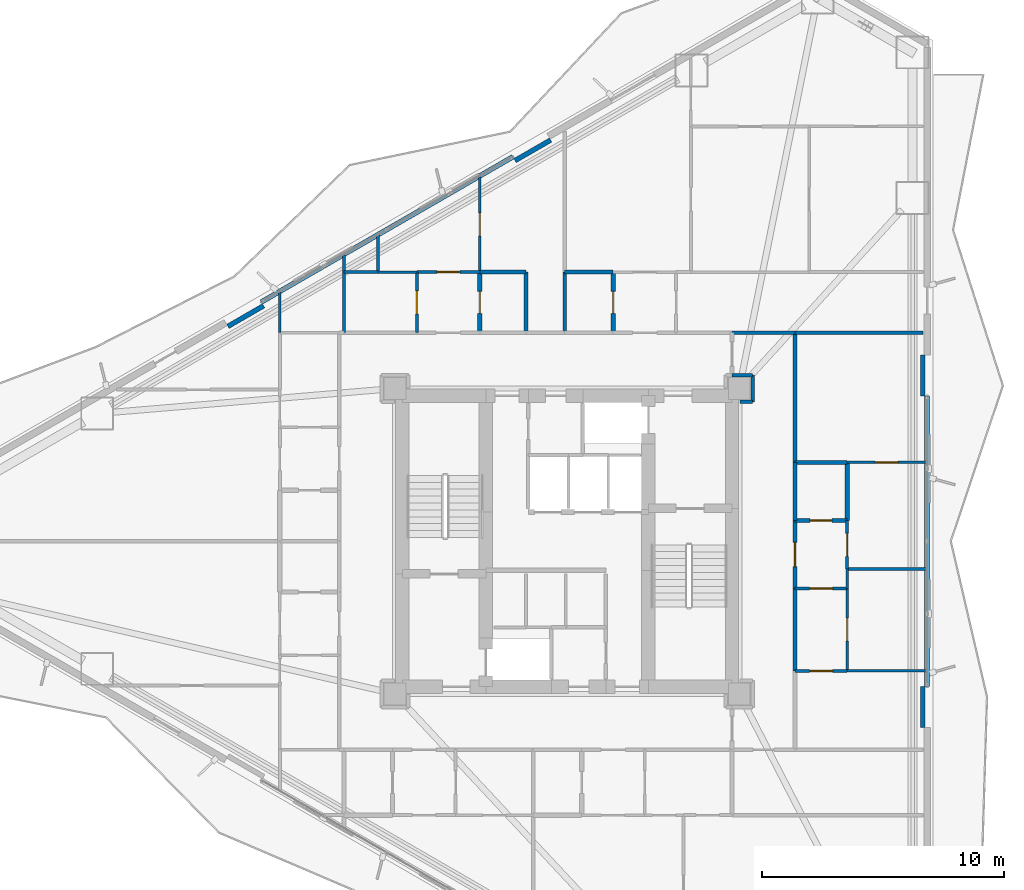
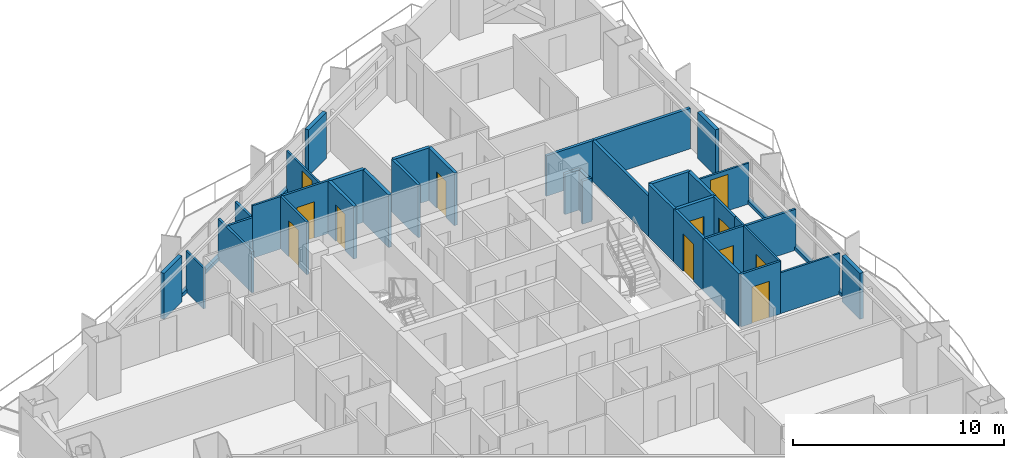
# One storey, part 15 of 18: 40 walls, 12 doors, 12 openings.
"""IFC4 building model written with IfcOpenShell, lengths in metres."""

from ifc_helpers import new_model, si_unit, direction, frame, frame_2d, origin, place, context, subcontext, project, spatial, rectangle, extrude, material, layer, layer_set, type_object, element, fill, save


model = new_model("IFC4")

# Units and contexts
model_context = context("Model", 3, precision=1e-05, world=origin(), true_north=direction((0.0, 1.0)))
body_context = subcontext(model_context, "Body", "Model", "MODEL_VIEW")
ifc_project = project(units=[si_unit("LENGTHUNIT", "METRE"), si_unit("AREAUNIT", "SQUARE_METRE"), si_unit("VOLUMEUNIT", "CUBIC_METRE"), si_unit("PLANEANGLEUNIT", "RADIAN"), si_unit("MASSUNIT", "GRAM", prefix="KILO")], contexts=[model_context])

# Site, building, storey
site_placement = place(None, origin())
site = spatial("IfcSite", under=ifc_project, at=site_placement, CompositionType="ELEMENT")
building_placement = place(site_placement, origin())
building = spatial("IfcBuilding", under=site, at=building_placement, Name="Mersakhor Tower and Convention Hall", CompositionType="ELEMENT")
storey_placement = place(building_placement, frame((0.0, 0.0, 35.699951171875)))
storey = spatial("IfcBuildingStorey", under=building, at=storey_placement, Name="L09", CompositionType="ELEMENT", Elevation=35.699951171875)

# Walls
ifc_material_1 = material(Name="Precast concrete C40/50", Category="concrete")
ifc_layer_1 = layer(ifc_material_1, 0.199951171875)
ifc_layer_set_1 = layer_set([ifc_layer_1], Name="Precast concrete C40/50")
wall_type_1 = type_object("IfcWallType", Name="WL-PAR-200", PredefinedType="PARAPET", material=ifc_layer_set_1)
wall_1_placement = place(storey_placement, frame((16.390380859375, 36.6171875, 0.0), z_axis=(0.0, 0.0, 1.0), x_axis=(0.866027351828, 0.499996625875, 0.0)))
element("IfcWall", 1, at=wall_1_placement, inside=storey, type_object=wall_type_1, Name="L09 Curtain Wall Upstand Sill F1-B2", PredefinedType="PARAPET", context=body_context, shape_type="SweptSolid", body=[
    extrude(rectangle(XDim=11.97314453125, YDim=0.199951171875, at=frame_2d((5.986572265625, 0.0))), origin(), (0.0, 0.0, 1.0), 0.199951171875),
])
for number, where, z_axis, x_axis, name in (
    (2, (15.00830078125, 35.611328125, 0.0), (0.0, 0.0, 1.0), (0.86605165483, 0.499954529098, 0.0), "L09 Column Pier Cladding Wall F1-C1"),
    (3, (26.849609375, 42.447998046875, 0.0), (0.0, 0.0, 1.0), (0.86605165483, 0.499954529098, 0.0), "L09 Column Pier Cladding Wall F1-C2"),
):
    element("IfcWall", number, at=place(storey_placement, frame(where, z_axis=z_axis, x_axis=x_axis)), inside=storey, type_object=wall_type_1, Name=name, PredefinedType="PARAPET", context=body_context, shape_type="SweptSolid", body=[
        extrude(rectangle(XDim=1.699951171875, YDim=0.199951171875, at=frame_2d((0.85009765625, 0.0))), origin(), (0.0, 0.0, 1.0), 2.66015625),
    ])
wall_2_placement = place(storey_placement, frame((43.85009765625, 32.736572265625, 0.0), z_axis=(0.0, 0.0, 1.0), x_axis=(0.0, -1.0, 0.0)))
element("IfcWall", 4, at=wall_2_placement, inside=storey, type_object=wall_type_1, Name="L09 Curtain Wall Upstand Sill F2-B2", PredefinedType="PARAPET", context=body_context, shape_type="SweptSolid", body=[
    extrude(rectangle(XDim=11.97314453125, YDim=0.199951171875, at=frame_2d((5.986572265625, 0.0))), origin(), (0.0, 0.0, 1.0), 0.199951171875),
])
for number, where, z_axis, x_axis, name in (
    (5, (43.669921875, 34.4365234375, 0.0), (0.0, 0.0, 1.0), (0.0, -1.0, 0.0), "L09 Column Pier Cladding Wall F2-C1"),
    (6, (43.669921875, 20.763427734375, 0.0), (0.0, 0.0, 1.0), (0.0, -1.0, 0.0), "L09 Column Pier Cladding Wall F2-C2"),
):
    element("IfcWall", number, at=place(storey_placement, frame(where, z_axis=z_axis, x_axis=x_axis)), inside=storey, type_object=wall_type_1, Name=name, PredefinedType="PARAPET", context=body_context, shape_type="SweptSolid", body=[
        extrude(rectangle(XDim=1.699951171875, YDim=0.199951171875, at=frame_2d((0.85009765625, 0.0))), origin(), (0.0, 0.0, 1.0), 2.66015625),
    ])

# Wall, opening, door
ifc_material_2 = material(Name="Moisture-resistant acoustic drywall studwork", Category="other")
ifc_layer_2 = layer(ifc_material_2, 0.175048828125)
ifc_layer_set_2 = layer_set([ifc_layer_2], Name="Moisture-resistant acoustic drywall studwork")
wall_type_2 = type_object("IfcWallType", Name="WL-PLM-175", PredefinedType="PLUMBINGWALL", material=ifc_layer_set_2)
wall_3_placement = place(storey_placement, frame((25.39990234375, 37.85009765625, 0.0), z_axis=(0.0, 0.0, 1.0), x_axis=(0.0, -1.0, 0.0)))
wall_3 = element("IfcWall", 7, at=wall_3_placement, inside=storey, type_object=wall_type_2, Name="L09 Interior Partition Wall P-068", PredefinedType="PLUMBINGWALL", context=body_context, shape_type="SweptSolid", body=[
    extrude(rectangle(XDim=2.5, YDim=0.175048828125, at=frame_2d((1.25, 0.0))), origin(), (0.0, 0.0, 1.0), 3.0400390625),
])
opening_1_placement = place(wall_3_placement, frame((0.800048828125, 0.0, 0.0)))
opening_1 = element("IfcOpeningElement", 8, at=opening_1_placement, cuts=wall_3, Name="Opening WD-01", PredefinedType="OPENING", context=body_context, shape_type="SweptSolid", body=[
    extrude(rectangle(XDim=0.89990234375, YDim=2.10009765625, at=frame_2d((0.449951171875, 1.050048828125))), frame((0.0, 0.097412109375, 0.0), z_axis=(0.0, -1.0, 0.0), x_axis=(1.0, 0.0, 0.0)), (0.0, 0.0, 1.0), 0.195068359375),
])
ifc_material_3 = material(Name="Solid-core hardwood leaf in painted steel frame", Category="steel")
door_type_1 = type_object("IfcDoorType", Name="DR-INT-WET-090x210", OperationType="NOTDEFINED", PredefinedType="DOOR", material=ifc_material_3)
door_1_placement = place(opening_1_placement, origin())
door_1 = element("IfcDoor", 9, at=door_1_placement, inside=storey, type_object=door_type_1, Name="L09 L09 Flat N1 Apartment Hall to L09 Flat N1 Bathroom Door", OperationType="SINGLE_SWING_RIGHT", OverallHeight=2.10009765625, OverallWidth=0.89990234375, PredefinedType="DOOR", context=body_context, shape_type="SweptSolid", body=[
    extrude(rectangle(XDim=0.89990234375, YDim=2.10009765625, at=frame_2d((0.449951171875, 1.050048828125))), frame((0.0, 0.02490234375, 0.0), z_axis=(0.0, -1.0, 0.0), x_axis=(1.0, 0.0, 0.0)), (0.0, 0.0, 1.0), 0.050048828125),
])
fill(opening_1, door_1)

wall_4_placement = place(storey_placement, frame((30.89990234375, 35.35009765625, 0.0), z_axis=(0.0, 0.0, 1.0), x_axis=(0.0, 1.0, 0.0)))
wall_4 = element("IfcWall", 10, at=wall_4_placement, inside=storey, type_object=wall_type_2, Name="L09 Interior Partition Wall P-072", PredefinedType="PLUMBINGWALL", context=body_context, shape_type="SweptSolid", body=[
    extrude(rectangle(XDim=2.5, YDim=0.175048828125, at=frame_2d((1.25, 0.0))), origin(), (0.0, 0.0, 1.0), 3.0400390625),
])
opening_2_placement = place(wall_4_placement, frame((0.800048828125, 0.0, 0.0)))
opening_2 = element("IfcOpeningElement", 11, at=opening_2_placement, cuts=wall_4, Name="Opening WD-01", PredefinedType="OPENING", context=body_context, shape_type="SweptSolid", body=[
    extrude(rectangle(XDim=0.89990234375, YDim=2.10009765625, at=frame_2d((0.449951171875, 1.050048828125))), frame((0.0, 0.097412109375, 0.0), z_axis=(0.0, -1.0, 0.0), x_axis=(1.0, 0.0, 0.0)), (0.0, 0.0, 1.0), 0.195068359375),
])
door_2_placement = place(opening_2_placement, origin())
door_2 = element("IfcDoor", 12, at=door_2_placement, inside=storey, type_object=door_type_1, Name="L09 L09 Flat N2 Apartment Hall to L09 Flat N2 Bathroom Door", OperationType="SINGLE_SWING_LEFT", OverallHeight=2.10009765625, OverallWidth=0.89990234375, PredefinedType="DOOR", context=body_context, shape_type="SweptSolid", body=[
    extrude(rectangle(XDim=0.89990234375, YDim=2.10009765625, at=frame_2d((0.449951171875, 1.050048828125))), frame((0.0, 0.02490234375, 0.0), z_axis=(0.0, -1.0, 0.0), x_axis=(1.0, 0.0, 0.0)), (0.0, 0.0, 1.0), 0.050048828125),
])
fill(opening_2, door_2)

wall_5_placement = place(storey_placement, frame((38.39990234375, 27.60009765625, 0.0), z_axis=(0.0, 0.0, 1.0), x_axis=(1.0, 0.0, 0.0)))
wall_5 = element("IfcWall", 13, at=wall_5_placement, inside=storey, type_object=wall_type_2, Name="L09 Interior Partition Wall P-088", PredefinedType="PLUMBINGWALL", context=body_context, shape_type="SweptSolid", body=[
    extrude(rectangle(XDim=2.150146484375, YDim=0.175048828125, at=frame_2d((1.0751953125, 0.0))), origin(), (0.0, 0.0, 1.0), 3.0400390625),
])
opening_3_placement = place(wall_5_placement, frame((0.625, 0.0, 0.0)))
opening_3 = element("IfcOpeningElement", 14, at=opening_3_placement, cuts=wall_5, Name="Opening WD-01", PredefinedType="OPENING", context=body_context, shape_type="SweptSolid", body=[
    extrude(rectangle(XDim=0.89990234375, YDim=2.10009765625, at=frame_2d((0.449951171875, 1.050048828125))), frame((0.0, 0.097412109375, 0.0), z_axis=(0.0, -1.0, 0.0), x_axis=(1.0, 0.0, 0.0)), (0.0, 0.0, 1.0), 0.195068359375),
])
door_3_placement = place(opening_3_placement, origin())
door_3 = element("IfcDoor", 15, at=door_3_placement, inside=storey, type_object=door_type_1, Name="L09 L09 Flat E7 Apartment Hall to L09 Flat E7 Bathroom Door", OperationType="SINGLE_SWING_RIGHT", OverallHeight=2.10009765625, OverallWidth=0.89990234375, PredefinedType="DOOR", context=body_context, shape_type="SweptSolid", body=[
    extrude(rectangle(XDim=0.89990234375, YDim=2.10009765625, at=frame_2d((0.449951171875, 1.050048828125))), frame((0.0, 0.02490234375, 0.0), z_axis=(0.0, -1.0, 0.0), x_axis=(1.0, 0.0, 0.0)), (0.0, 0.0, 1.0), 0.050048828125),
])
fill(opening_3, door_3)

# Walls
wall_6_placement = place(storey_placement, frame((25.39990234375, 37.85009765625, 0.0), z_axis=(0.0, 0.0, 1.0), x_axis=(1.0, 0.0, 0.0)))
element("IfcWall", 16, at=wall_6_placement, inside=storey, type_object=wall_type_2, Name="L09 Interior Partition Wall P-089", PredefinedType="PLUMBINGWALL", context=body_context, shape_type="SweptSolid", body=[
    extrude(rectangle(XDim=1.900146484375, YDim=0.175048828125, at=frame_2d((0.9501953125, 0.0))), origin(), (0.0, 0.0, 1.0), 3.0400390625),
])
wall_7_placement = place(storey_placement, frame((27.300048828125, 37.85009765625, 0.0), z_axis=(0.0, 0.0, 1.0), x_axis=(0.0, -1.0, 0.0)))
element("IfcWall", 17, at=wall_7_placement, inside=storey, type_object=wall_type_2, Name="L09 Interior Partition Wall P-090", PredefinedType="PLUMBINGWALL", context=body_context, shape_type="SweptSolid", body=[
    extrude(rectangle(XDim=2.5, YDim=0.175048828125, at=frame_2d((1.25, 0.0))), origin(), (0.0, 0.0, 1.0), 3.0400390625),
])
wall_8_placement = place(storey_placement, frame((28.89990234375, 37.85009765625, 0.0), z_axis=(0.0, 0.0, 1.0), x_axis=(1.0, 0.0, 0.0)))
element("IfcWall", 18, at=wall_8_placement, inside=storey, type_object=wall_type_2, Name="L09 Interior Partition Wall P-094", PredefinedType="PLUMBINGWALL", context=body_context, shape_type="SweptSolid", body=[
    extrude(rectangle(XDim=2.0, YDim=0.175048828125, at=frame_2d((1.0, 0.0))), origin(), (0.0, 0.0, 1.0), 3.0400390625),
])
wall_9_placement = place(storey_placement, frame((40.550048828125, 30.0, 0.0), z_axis=(0.0, 0.0, 1.0), x_axis=(0.0, -1.0, 0.0)))
element("IfcWall", 19, at=wall_9_placement, inside=storey, type_object=wall_type_2, Name="L09 Interior Partition Wall P-117", PredefinedType="PLUMBINGWALL", context=body_context, shape_type="SweptSolid", body=[
    extrude(rectangle(XDim=2.39990234375, YDim=0.175048828125, at=frame_2d((1.199951171875, 0.0))), origin(), (0.0, 0.0, 1.0), 3.0400390625),
])
wall_10_placement = place(storey_placement, frame((38.39990234375, 30.0, 0.0), z_axis=(0.0, 0.0, 1.0), x_axis=(1.0, 0.0, 0.0)))
element("IfcWall", 20, at=wall_10_placement, inside=storey, type_object=wall_type_2, Name="L09 Interior Partition Wall P-118", PredefinedType="PLUMBINGWALL", context=body_context, shape_type="SweptSolid", body=[
    extrude(rectangle(XDim=2.150146484375, YDim=0.175048828125, at=frame_2d((1.0751953125, 0.0))), origin(), (0.0, 0.0, 1.0), 3.0400390625),
])
ifc_material_4 = material(Name="Lightweight gypsum partition", Category="other")
ifc_layer_3 = layer(ifc_material_4, 0.10009765625)
ifc_layer_set_3 = layer_set([ifc_layer_3], Name="Lightweight gypsum partition")
wall_type_3 = type_object("IfcWallType", Name="WL-PRT-100", PredefinedType="PARTITIONING", material=ifc_layer_set_3)
wall_11_placement = place(storey_placement, frame((40.550048828125, 25.60009765625, 0.0), z_axis=(0.0, 0.0, 1.0), x_axis=(0.0, -1.0, 0.0)))
element("IfcWall", 21, at=wall_11_placement, inside=storey, type_object=wall_type_3, Name="L09 Interior Partition Wall P-086", PredefinedType="PARTITIONING", context=body_context, shape_type="SweptSolid", body=[
    extrude(rectangle(XDim=0.800048828125, YDim=0.10009765625, at=frame_2d((0.39990234375, 0.0))), origin(), (0.0, 0.0, 1.0), 3.0400390625),
])
wall_12_placement = place(storey_placement, frame((21.199951171875, 37.85009765625, 0.0), z_axis=(0.0, 0.0, 1.0), x_axis=(1.0, 0.0, 0.0)))
element("IfcWall", 22, at=wall_12_placement, inside=storey, type_object=wall_type_3, Name="L09 Interior Partition Wall P-092", PredefinedType="PARTITIONING", context=body_context, shape_type="SweptSolid", body=[
    extrude(rectangle(XDim=1.60009765625, YDim=0.10009765625, at=frame_2d((0.800048828125, 0.0))), origin(), (0.0, 0.0, 1.0), 3.0400390625),
])
wall_13_placement = place(storey_placement, frame((40.550048828125, 21.39990234375, 0.0), z_axis=(0.0, 0.0, 1.0), x_axis=(1.0, 0.0, 0.0)))
element("IfcWall", 23, at=wall_13_placement, inside=storey, type_object=wall_type_3, Name="L09 Interior Partition Wall P-120", PredefinedType="PARTITIONING", context=body_context, shape_type="SweptSolid", body=[
    extrude(rectangle(XDim=3.263916015625, YDim=0.10009765625, at=frame_2d((1.6318359375, 0.0))), origin(), (0.0, 0.0, 1.0), 2.364990234375),
])

# Wall, opening, door
wall_14_placement = place(storey_placement, frame((25.39990234375, 41.77734375, 0.0), z_axis=(0.0, 0.0, 1.0), x_axis=(0.0, -1.0, 0.0)))
wall_14 = element("IfcWall", 24, at=wall_14_placement, inside=storey, type_object=wall_type_3, Name="L09 Interior Partition Wall P-124", PredefinedType="PARTITIONING", context=body_context, shape_type="SweptSolid", body=[
    extrude(rectangle(XDim=3.92724609375, YDim=0.10009765625, at=frame_2d((1.963623046875, 0.0))), origin(), (0.0, 0.0, 1.0), 2.364990234375),
])
opening_4_placement = place(wall_14_placement, frame((1.488525390625, 0.0, 0.0)))
opening_4 = element("IfcOpeningElement", 25, at=opening_4_placement, cuts=wall_14, Name="Opening RD-01", PredefinedType="OPENING", context=body_context, shape_type="SweptSolid", body=[
    extrude(rectangle(XDim=0.949951171875, YDim=2.10009765625, at=frame_2d((0.47509765625, 1.050048828125))), frame((0.0, 0.06005859375, 0.0), z_axis=(0.0, -1.0, 0.0), x_axis=(1.0, 0.0, 0.0)), (0.0, 0.0, 1.0), 0.1201171875),
])
ifc_material_5 = material(Name="Solid-core hardwood leaf in painted steel frame", Category="steel")
door_type_2 = type_object("IfcDoorType", Name="DR-INT-RM-095x210", OperationType="NOTDEFINED", PredefinedType="DOOR", material=ifc_material_5)
door_4_placement = place(opening_4_placement, origin())
door_4 = element("IfcDoor", 26, at=door_4_placement, inside=storey, type_object=door_type_2, Name="L09 L09 Flat N1 Bedroom 2 to L09 Flat N1 Living and Dining Room Door", OperationType="SINGLE_SWING_LEFT", OverallHeight=2.10009765625, OverallWidth=0.949951171875, PredefinedType="DOOR", context=body_context, shape_type="SweptSolid", body=[
    extrude(rectangle(XDim=0.949951171875, YDim=2.10009765625, at=frame_2d((0.47509765625, 1.050048828125))), frame((0.0, 0.02490234375, 0.0), z_axis=(0.0, -1.0, 0.0), x_axis=(1.0, 0.0, 0.0)), (0.0, 0.0, 1.0), 0.050048828125),
])
fill(opening_4, door_4)

# Wall
wall_15_placement = place(storey_placement, frame((17.14990234375, 37.01416015625, 0.0), z_axis=(0.0, 0.0, 1.0), x_axis=(0.0, -1.0, 0.0)))
element("IfcWall", 27, at=wall_15_placement, inside=storey, type_object=wall_type_3, Name="L09 Interior Partition Wall P-142", PredefinedType="PARTITIONING", context=body_context, shape_type="SweptSolid", body=[
    extrude(rectangle(XDim=1.6640625, YDim=0.10009765625, at=frame_2d((0.83203125, 0.0))), origin(), (0.0, 0.0, 1.0), 2.364990234375),
])

# Wall, opening, door
wall_16_placement = place(storey_placement, frame((43.81396484375, 30.0, 0.0), z_axis=(0.0, 0.0, 1.0), x_axis=(-1.0, 0.0, 0.0)))
wall_16 = element("IfcWall", 28, at=wall_16_placement, inside=storey, type_object=wall_type_3, Name="L09 Interior Partition Wall P-146", PredefinedType="PARTITIONING", context=body_context, shape_type="SweptSolid", body=[
    extrude(rectangle(XDim=3.263916015625, YDim=0.10009765625, at=frame_2d((1.6318359375, 0.0))), origin(), (0.0, 0.0, 1.0), 2.364990234375),
])
opening_5_placement = place(wall_16_placement, frame((1.156982421875, 0.0, 0.0)))
opening_5 = element("IfcOpeningElement", 29, at=opening_5_placement, cuts=wall_16, Name="Opening RD-01", PredefinedType="OPENING", context=body_context, shape_type="SweptSolid", body=[
    extrude(rectangle(XDim=0.949951171875, YDim=2.10009765625, at=frame_2d((0.47509765625, 1.050048828125))), frame((0.0, 0.06005859375, 0.0), z_axis=(0.0, -1.0, 0.0), x_axis=(1.0, 0.0, 0.0)), (0.0, 0.0, 1.0), 0.1201171875),
])
door_5_placement = place(opening_5_placement, origin())
door_5 = element("IfcDoor", 30, at=door_5_placement, inside=storey, type_object=door_type_2, Name="L09 L09 Flat E7 Living and Dining Room to L09 Flat E7 Master Bedroom Door", OperationType="SINGLE_SWING_RIGHT", OverallHeight=2.10009765625, OverallWidth=0.949951171875, PredefinedType="DOOR", context=body_context, shape_type="SweptSolid", body=[
    extrude(rectangle(XDim=0.949951171875, YDim=2.10009765625, at=frame_2d((0.47509765625, 1.050048828125))), frame((0.0, 0.02490234375, 0.0), z_axis=(0.0, -1.0, 0.0), x_axis=(1.0, 0.0, 0.0)), (0.0, 0.0, 1.0), 0.050048828125),
])
fill(opening_5, door_5)

wall_17_placement = place(storey_placement, frame((40.550048828125, 21.39990234375, 0.0), z_axis=(0.0, 0.0, 1.0), x_axis=(0.0, 1.0, 0.0)))
wall_17 = element("IfcWall", 31, at=wall_17_placement, inside=storey, type_object=wall_type_3, Name="L09 Interior Partition Wall P-148", PredefinedType="PARTITIONING", context=body_context, shape_type="SweptSolid", body=[
    extrude(rectangle(XDim=3.400146484375, YDim=0.10009765625, at=frame_2d((1.7001953125, 0.0))), origin(), (0.0, 0.0, 1.0), 3.0400390625),
])
opening_6_placement = place(wall_17_placement, frame((1.22509765625, 0.0, 0.0)))
opening_6 = element("IfcOpeningElement", 32, at=opening_6_placement, cuts=wall_17, Name="Opening RD-01", PredefinedType="OPENING", context=body_context, shape_type="SweptSolid", body=[
    extrude(rectangle(XDim=0.949951171875, YDim=2.10009765625, at=frame_2d((0.47509765625, 1.050048828125))), frame((0.0, 0.06005859375, 0.0), z_axis=(0.0, -1.0, 0.0), x_axis=(1.0, 0.0, 0.0)), (0.0, 0.0, 1.0), 0.1201171875),
])
door_6_placement = place(opening_6_placement, origin())
door_6 = element("IfcDoor", 33, at=door_6_placement, inside=storey, type_object=door_type_2, Name="L09 L09 Flat E7 Bedroom 2 to L09 Flat E7 Dining Alcove Door", OperationType="SINGLE_SWING_LEFT", OverallHeight=2.10009765625, OverallWidth=0.949951171875, PredefinedType="DOOR", context=body_context, shape_type="SweptSolid", body=[
    extrude(rectangle(XDim=0.949951171875, YDim=2.10009765625, at=frame_2d((0.47509765625, 1.050048828125))), frame((0.0, 0.02490234375, 0.0), z_axis=(0.0, -1.0, 0.0), x_axis=(1.0, 0.0, 0.0)), (0.0, 0.0, 1.0), 0.050048828125),
])
fill(opening_6, door_6)

ifc_material_6 = material(Name="Gypsum board acoustic partition", Category="other")
ifc_layer_4 = layer(ifc_material_6, 0.125)
ifc_layer_set_4 = layer_set([ifc_layer_4], Name="Gypsum board acoustic partition")
wall_type_4 = type_object("IfcWallType", Name="WL-PRT-125", PredefinedType="PARTITIONING", material=ifc_layer_set_4)
wall_18_placement = place(storey_placement, frame((22.800048828125, 37.85009765625, 0.0), z_axis=(0.0, 0.0, 1.0), x_axis=(1.0, 0.0, 0.0)))
wall_18 = element("IfcWall", 34, at=wall_18_placement, inside=storey, type_object=wall_type_4, Name="L09 Interior Partition Wall P-067", PredefinedType="PARTITIONING", context=body_context, shape_type="SweptSolid", body=[
    extrude(rectangle(XDim=2.599853515625, YDim=0.125, at=frame_2d((1.2998046875, 0.0))), origin(), (0.0, 0.0, 1.0), 3.0400390625),
])
opening_7_placement = place(wall_18_placement, frame((0.824951171875, 0.0, 0.0)))
opening_7 = element("IfcOpeningElement", 35, at=opening_7_placement, cuts=wall_18, Name="Opening RD-01", PredefinedType="OPENING", context=body_context, shape_type="SweptSolid", body=[
    extrude(rectangle(XDim=0.949951171875, YDim=2.10009765625, at=frame_2d((0.47509765625, 1.050048828125))), frame((0.0, 0.072509765625, 0.0), z_axis=(0.0, -1.0, 0.0), x_axis=(1.0, 0.0, 0.0)), (0.0, 0.0, 1.0), 0.14501953125),
])
door_7_placement = place(opening_7_placement, origin())
door_7 = element("IfcDoor", 36, at=door_7_placement, inside=storey, type_object=door_type_2, Name="L09 L09 Flat N1 Apartment Hall to L09 Flat N1 Bedroom 2 Door", OperationType="SINGLE_SWING_RIGHT", OverallHeight=2.10009765625, OverallWidth=0.949951171875, PredefinedType="DOOR", context=body_context, shape_type="SweptSolid", body=[
    extrude(rectangle(XDim=0.949951171875, YDim=2.10009765625, at=frame_2d((0.47509765625, 1.050048828125))), frame((0.0, 0.02490234375, 0.0), z_axis=(0.0, -1.0, 0.0), x_axis=(1.0, 0.0, 0.0)), (0.0, 0.0, 1.0), 0.050048828125),
])
fill(opening_7, door_7)

wall_19_placement = place(storey_placement, frame((22.800048828125, 35.35009765625, 0.0), z_axis=(0.0, 0.0, 1.0), x_axis=(0.0, 1.0, 0.0)))
wall_19 = element("IfcWall", 37, at=wall_19_placement, inside=storey, type_object=wall_type_4, Name="L09 Interior Partition Wall P-069", PredefinedType="PARTITIONING", context=body_context, shape_type="SweptSolid", body=[
    extrude(rectangle(XDim=2.5, YDim=0.125, at=frame_2d((1.25, 0.0))), origin(), (0.0, 0.0, 1.0), 3.0400390625),
])
opening_8_placement = place(wall_19_placement, frame((0.77490234375, 0.0, 0.0)))
opening_8 = element("IfcOpeningElement", 38, at=opening_8_placement, cuts=wall_19, Name="Opening RD-01", PredefinedType="OPENING", context=body_context, shape_type="SweptSolid", body=[
    extrude(rectangle(XDim=0.949951171875, YDim=2.10009765625, at=frame_2d((0.47509765625, 1.050048828125))), frame((0.0, 0.072509765625, 0.0), z_axis=(0.0, -1.0, 0.0), x_axis=(1.0, 0.0, 0.0)), (0.0, 0.0, 1.0), 0.14501953125),
])
door_8_placement = place(opening_8_placement, origin())
door_8 = element("IfcDoor", 39, at=door_8_placement, inside=storey, type_object=door_type_2, Name="L09 L09 Flat N1 Apartment Hall to L09 Flat N1 Kitchen Door", OperationType="SINGLE_SWING_LEFT", OverallHeight=2.10009765625, OverallWidth=0.949951171875, PredefinedType="DOOR", context=body_context, shape_type="SweptSolid", body=[
    extrude(rectangle(XDim=0.949951171875, YDim=2.10009765625, at=frame_2d((0.47509765625, 1.050048828125))), frame((0.0, 0.02490234375, 0.0), z_axis=(0.0, -1.0, 0.0), x_axis=(1.0, 0.0, 0.0)), (0.0, 0.0, 1.0), 0.050048828125),
])
fill(opening_8, door_8)

wall_20_placement = place(storey_placement, frame((40.550048828125, 27.60009765625, 0.0), z_axis=(0.0, 0.0, 1.0), x_axis=(0.0, -1.0, 0.0)))
wall_20 = element("IfcWall", 40, at=wall_20_placement, inside=storey, type_object=wall_type_4, Name="L09 Interior Partition Wall P-085", PredefinedType="PARTITIONING", context=body_context, shape_type="SweptSolid", body=[
    extrude(rectangle(XDim=2.0, YDim=0.125, at=frame_2d((1.0, 0.0))), origin(), (0.0, 0.0, 1.0), 3.0400390625),
])
opening_9_placement = place(wall_20_placement, frame((0.52490234375, 0.0, 0.0)))
opening_9 = element("IfcOpeningElement", 41, at=opening_9_placement, cuts=wall_20, Name="Opening RD-01", PredefinedType="OPENING", context=body_context, shape_type="SweptSolid", body=[
    extrude(rectangle(XDim=0.949951171875, YDim=2.10009765625, at=frame_2d((0.47509765625, 1.050048828125))), frame((0.0, 0.072509765625, 0.0), z_axis=(0.0, -1.0, 0.0), x_axis=(1.0, 0.0, 0.0)), (0.0, 0.0, 1.0), 0.14501953125),
])
door_9_placement = place(opening_9_placement, origin())
door_9 = element("IfcDoor", 42, at=door_9_placement, inside=storey, type_object=door_type_2, Name="L09 L09 Flat E7 Apartment Hall to L09 Flat E7 Master Bedroom Door", OperationType="SINGLE_SWING_LEFT", OverallHeight=2.10009765625, OverallWidth=0.949951171875, PredefinedType="DOOR", context=body_context, shape_type="SweptSolid", body=[
    extrude(rectangle(XDim=0.949951171875, YDim=2.10009765625, at=frame_2d((0.47509765625, 1.050048828125))), frame((0.0, 0.02490234375, 0.0), z_axis=(0.0, -1.0, 0.0), x_axis=(1.0, 0.0, 0.0)), (0.0, 0.0, 1.0), 0.050048828125),
])
fill(opening_9, door_9)

wall_21_placement = place(storey_placement, frame((40.550048828125, 24.800048828125, 0.0), z_axis=(0.0, 0.0, 1.0), x_axis=(-1.0, 0.0, 0.0)))
wall_21 = element("IfcWall", 43, at=wall_21_placement, inside=storey, type_object=wall_type_4, Name="L09 Interior Partition Wall P-087", PredefinedType="PARTITIONING", context=body_context, shape_type="SweptSolid", body=[
    extrude(rectangle(XDim=2.150146484375, YDim=0.125, at=frame_2d((1.0751953125, 0.0))), origin(), (0.0, 0.0, 1.0), 3.0400390625),
])
opening_10_placement = place(wall_21_placement, frame((0.60009765625, 0.0, 0.0)))
opening_10 = element("IfcOpeningElement", 44, at=opening_10_placement, cuts=wall_21, Name="Opening RD-01", PredefinedType="OPENING", context=body_context, shape_type="SweptSolid", body=[
    extrude(rectangle(XDim=0.949951171875, YDim=2.10009765625, at=frame_2d((0.47509765625, 1.050048828125))), frame((0.0, 0.072509765625, 0.0), z_axis=(0.0, -1.0, 0.0), x_axis=(1.0, 0.0, 0.0)), (0.0, 0.0, 1.0), 0.14501953125),
])
door_10_placement = place(opening_10_placement, origin())
door_10 = element("IfcDoor", 45, at=door_10_placement, inside=storey, type_object=door_type_2, Name="L09 L09 Flat E7 Apartment Hall to L09 Flat E7 Dining Alcove Door", OperationType="SINGLE_SWING_RIGHT", OverallHeight=2.10009765625, OverallWidth=0.949951171875, PredefinedType="DOOR", context=body_context, shape_type="SweptSolid", body=[
    extrude(rectangle(XDim=0.949951171875, YDim=2.10009765625, at=frame_2d((0.47509765625, 1.050048828125))), frame((0.0, 0.02490234375, 0.0), z_axis=(0.0, -1.0, 0.0), x_axis=(1.0, 0.0, 0.0)), (0.0, 0.0, 1.0), 0.050048828125),
])
fill(opening_10, door_10)

# Walls
wall_22_placement = place(storey_placement, frame((19.800048828125, 37.85009765625, 0.0), z_axis=(0.0, 0.0, 1.0), x_axis=(1.0, 0.0, 0.0)))
element("IfcWall", 46, at=wall_22_placement, inside=storey, type_object=wall_type_4, Name="L09 Interior Partition Wall P-091", PredefinedType="PARTITIONING", context=body_context, shape_type="SweptSolid", body=[
    extrude(rectangle(XDim=1.39990234375, YDim=0.125, at=frame_2d((0.699951171875, 0.0))), origin(), (0.0, 0.0, 1.0), 2.364990234375),
])
wall_23_placement = place(storey_placement, frame((19.800048828125, 35.35009765625, 0.0), z_axis=(0.0, 0.0, 1.0), x_axis=(0.0, 1.0, 0.0)))
element("IfcWall", 47, at=wall_23_placement, inside=storey, type_object=wall_type_4, Name="L09 Interior Partition Wall P-093", PredefinedType="PARTITIONING", context=body_context, shape_type="SweptSolid", body=[
    extrude(rectangle(XDim=3.194091796875, YDim=0.125, at=frame_2d((1.59716796875, 0.0))), origin(), (0.0, 0.0, 1.0), 2.364990234375),
])

# Wall, opening, door
wall_24_placement = place(storey_placement, frame((38.39990234375, 21.39990234375, 0.0), z_axis=(0.0, 0.0, 1.0), x_axis=(1.0, 0.0, 0.0)))
wall_24 = element("IfcWall", 48, at=wall_24_placement, inside=storey, type_object=wall_type_4, Name="L09 Interior Partition Wall P-119", PredefinedType="PARTITIONING", context=body_context, shape_type="SweptSolid", body=[
    extrude(rectangle(XDim=2.150146484375, YDim=0.125, at=frame_2d((1.0751953125, 0.0))), origin(), (0.0, 0.0, 1.0), 3.0400390625),
])
opening_11_placement = place(wall_24_placement, frame((0.60009765625, 0.0, 0.0)))
opening_11 = element("IfcOpeningElement", 49, at=opening_11_placement, cuts=wall_24, Name="Opening RD-01", PredefinedType="OPENING", context=body_context, shape_type="SweptSolid", body=[
    extrude(rectangle(XDim=0.949951171875, YDim=2.10009765625, at=frame_2d((0.47509765625, 1.050048828125))), frame((0.0, 0.072509765625, 0.0), z_axis=(0.0, -1.0, 0.0), x_axis=(1.0, 0.0, 0.0)), (0.0, 0.0, 1.0), 0.14501953125),
])
door_11_placement = place(opening_11_placement, origin())
door_11 = element("IfcDoor", 50, at=door_11_placement, inside=storey, type_object=door_type_2, Name="L09 L09 Flat E7 Kitchen to L09 Flat E7 Dining Alcove Door", OperationType="SINGLE_SWING_RIGHT", OverallHeight=2.10009765625, OverallWidth=0.949951171875, PredefinedType="DOOR", context=body_context, shape_type="SweptSolid", body=[
    extrude(rectangle(XDim=0.949951171875, YDim=2.10009765625, at=frame_2d((0.47509765625, 1.050048828125))), frame((0.0, 0.02490234375, 0.0), z_axis=(0.0, -1.0, 0.0), x_axis=(1.0, 0.0, 0.0)), (0.0, 0.0, 1.0), 0.050048828125),
])
fill(opening_11, door_11)

# Walls
wall_25_placement = place(storey_placement, frame((21.199951171875, 37.85009765625, 0.0), z_axis=(0.0, 0.0, 1.0), x_axis=(0.0, 1.0, 0.0)))
element("IfcWall", 51, at=wall_25_placement, inside=storey, type_object=wall_type_4, Name="L09 Interior Partition Wall P-123", PredefinedType="PARTITIONING", context=body_context, shape_type="SweptSolid", body=[
    extrude(rectangle(XDim=1.502197265625, YDim=0.125, at=frame_2d((0.7509765625, 0.0))), origin(), (0.0, 0.0, 1.0), 2.364990234375),
])
wall_26_placement = place(storey_placement, frame((43.81396484375, 25.60009765625, 0.0), z_axis=(0.0, 0.0, 1.0), x_axis=(-1.0, 0.0, 0.0)))
element("IfcWall", 52, at=wall_26_placement, inside=storey, type_object=wall_type_4, Name="L09 Interior Partition Wall P-147", PredefinedType="PARTITIONING", context=body_context, shape_type="SweptSolid", body=[
    extrude(rectangle(XDim=3.263916015625, YDim=0.125, at=frame_2d((1.6318359375, 0.0))), origin(), (0.0, 0.0, 1.0), 2.364990234375),
])
ifc_material_7 = material(Name="Fire-rated gypsum board stud partition", Category="other")
ifc_layer_5 = layer(ifc_material_7, 0.14990234375)
ifc_layer_set_5 = layer_set([ifc_layer_5], Name="Fire-rated gypsum board stud partition")
wall_type_5 = type_object("IfcWallType", Name="WL-PRT-150", PredefinedType="PARTITIONING", material=ifc_layer_set_5)
wall_27_placement = place(storey_placement, frame((36.125, 32.5, 0.0), z_axis=(0.0, 0.0, 1.0), x_axis=(1.0, 0.0, 0.0)))
element("IfcWall", 53, at=wall_27_placement, inside=storey, type_object=wall_type_5, Name="L09 Interior Partition Wall P-055", PredefinedType="PARTITIONING", context=body_context, shape_type="SweptSolid", body=[
    extrude(rectangle(XDim=0.52490234375, YDim=0.14990234375, at=frame_2d((0.262451171875, 0.0))), origin(), (0.0, 0.0, 1.0), 2.48828125),
])
wall_28_placement = place(storey_placement, frame((36.64990234375, 32.5, 0.0), z_axis=(0.0, 0.0, 1.0), x_axis=(0.0, 1.0, 0.0)))
element("IfcWall", 54, at=wall_28_placement, inside=storey, type_object=wall_type_5, Name="L09 Interior Partition Wall P-056", PredefinedType="PARTITIONING", context=body_context, shape_type="SweptSolid", body=[
    extrude(rectangle(XDim=1.10009765625, YDim=0.14990234375, at=frame_2d((0.550048828125, 0.0))), origin(), (0.0, 0.0, 1.0), 2.337646484375),
])
wall_29_placement = place(storey_placement, frame((36.64990234375, 33.60009765625, 0.0), z_axis=(0.0, 0.0, 1.0), x_axis=(-1.0, 0.0, 0.0)))
element("IfcWall", 55, at=wall_29_placement, inside=storey, type_object=wall_type_5, Name="L09 Interior Partition Wall P-057", PredefinedType="PARTITIONING", context=body_context, shape_type="SweptSolid", body=[
    extrude(rectangle(XDim=0.849853515625, YDim=0.14990234375, at=frame_2d((0.4248046875, 0.0))), origin(), (0.0, 0.0, 1.0), 2.337646484375),
])
wall_30_placement = place(storey_placement, frame((35.800048828125, 35.35009765625, 0.0), z_axis=(0.0, 0.0, 1.0), x_axis=(1.0, 0.0, 0.0)))
element("IfcWall", 56, at=wall_30_placement, inside=storey, type_object=wall_type_5, Name="L09 Interior Partition Wall P-058", PredefinedType="PARTITIONING", context=body_context, shape_type="SweptSolid", body=[
    extrude(rectangle(XDim=2.599853515625, YDim=0.14990234375, at=frame_2d((1.2998046875, 0.0))), origin(), (0.0, 0.0, 1.0), 2.337646484375),
])
wall_31_placement = place(storey_placement, frame((38.39990234375, 35.35009765625, 0.0), z_axis=(0.0, 0.0, 1.0), x_axis=(0.0, -1.0, 0.0)))
element("IfcWall", 57, at=wall_31_placement, inside=storey, type_object=wall_type_5, Name="L09 Interior Partition Wall P-059", PredefinedType="PARTITIONING", context=body_context, shape_type="SweptSolid", body=[
    extrude(rectangle(XDim=5.35009765625, YDim=0.14990234375, at=frame_2d((2.675048828125, 0.0))), origin(), (0.0, 0.0, 1.0), 2.337646484375),
])
wall_32_placement = place(storey_placement, frame((38.39990234375, 30.0, 0.0), z_axis=(0.0, 0.0, 1.0), x_axis=(0.0, -1.0, 0.0)))
element("IfcWall", 58, at=wall_32_placement, inside=storey, type_object=wall_type_5, Name="L09 Interior Partition Wall P-060", PredefinedType="PARTITIONING", context=body_context, shape_type="SweptSolid", body=[
    extrude(rectangle(XDim=2.39990234375, YDim=0.14990234375, at=frame_2d((1.199951171875, 0.0))), origin(), (0.0, 0.0, 1.0), 3.0400390625),
])

# Wall, opening, door
wall_33_placement = place(storey_placement, frame((38.39990234375, 27.60009765625, 0.0), z_axis=(0.0, 0.0, 1.0), x_axis=(0.0, -1.0, 0.0)))
wall_33 = element("IfcWall", 59, at=wall_33_placement, inside=storey, type_object=wall_type_5, Name="L09 Interior Partition Wall P-061", PredefinedType="PARTITIONING", context=body_context, shape_type="SweptSolid", body=[
    extrude(rectangle(XDim=2.800048828125, YDim=0.14990234375, at=frame_2d((1.39990234375, 0.0))), origin(), (0.0, 0.0, 1.0), 3.0400390625),
])
opening_12_placement = place(wall_33_placement, frame((0.89990234375, 0.0, 0.0)))
opening_12 = element("IfcOpeningElement", 60, at=opening_12_placement, cuts=wall_33, Name="Opening FD-01", PredefinedType="OPENING", context=body_context, shape_type="SweptSolid", body=[
    extrude(rectangle(XDim=1.0, YDim=2.14990234375, at=frame_2d((0.5, 1.074951171875))), frame((0.0, 0.0849609375, 0.0), z_axis=(0.0, -1.0, 0.0), x_axis=(1.0, 0.0, 0.0)), (0.0, 0.0, 1.0), 0.169921875),
])
ifc_material_8 = material(Name="Fire-rated hardwood leaf and painted steel frame", Category="steel")
door_type_3 = type_object("IfcDoorType", Name="DR-INT-FLT-100x215", OperationType="NOTDEFINED", PredefinedType="DOOR", material=ifc_material_8)
door_12_placement = place(opening_12_placement, origin())
door_12 = element("IfcDoor", 61, at=door_12_placement, inside=storey, type_object=door_type_3, Name="L09 Apartment Entrance Door (Residential Ring East Corridor to L09 Flat E7 Apartment Hall)", OperationType="SINGLE_SWING_RIGHT", OverallHeight=2.14990234375, OverallWidth=1.0, PredefinedType="DOOR", context=body_context, shape_type="SweptSolid", body=[
    extrude(rectangle(XDim=1.0, YDim=2.14990234375, at=frame_2d((0.5, 1.074951171875))), frame((0.0, 0.02490234375, 0.0), z_axis=(0.0, -1.0, 0.0), x_axis=(1.0, 0.0, 0.0)), (0.0, 0.0, 1.0), 0.050048828125),
])
fill(opening_12, door_12)

# Walls
wall_34_placement = place(storey_placement, frame((38.39990234375, 24.800048828125, 0.0), z_axis=(0.0, 0.0, 1.0), x_axis=(0.0, -1.0, 0.0)))
element("IfcWall", 62, at=wall_34_placement, inside=storey, type_object=wall_type_5, Name="L09 Interior Partition Wall P-062", PredefinedType="PARTITIONING", context=body_context, shape_type="SweptSolid", body=[
    extrude(rectangle(XDim=3.400146484375, YDim=0.14990234375, at=frame_2d((1.7001953125, 0.0))), origin(), (0.0, 0.0, 1.0), 3.0400390625),
])
wall_35_placement = place(storey_placement, frame((28.89990234375, 35.35009765625, 0.0), z_axis=(0.0, 0.0, 1.0), x_axis=(0.0, 1.0, 0.0)))
element("IfcWall", 63, at=wall_35_placement, inside=storey, type_object=wall_type_5, Name="L09 Interior Partition Wall P-095", PredefinedType="PARTITIONING", context=body_context, shape_type="SweptSolid", body=[
    extrude(rectangle(XDim=2.5, YDim=0.14990234375, at=frame_2d((1.25, 0.0))), origin(), (0.0, 0.0, 1.0), 3.0400390625),
])
wall_36_placement = place(storey_placement, frame((43.6884765625, 35.35009765625, 0.0), z_axis=(0.0, 0.0, 1.0), x_axis=(-1.0, 0.0, 0.0)))
element("IfcWall", 64, at=wall_36_placement, inside=storey, type_object=wall_type_5, Name="L09 Interior Partition Wall P-096", PredefinedType="PARTITIONING", context=body_context, shape_type="SweptSolid", body=[
    extrude(rectangle(XDim=5.28857421875, YDim=0.14990234375, at=frame_2d((2.644287109375, 0.0))), origin(), (0.0, 0.0, 1.0), 2.337646484375),
])

save(model, "model.ifc")
